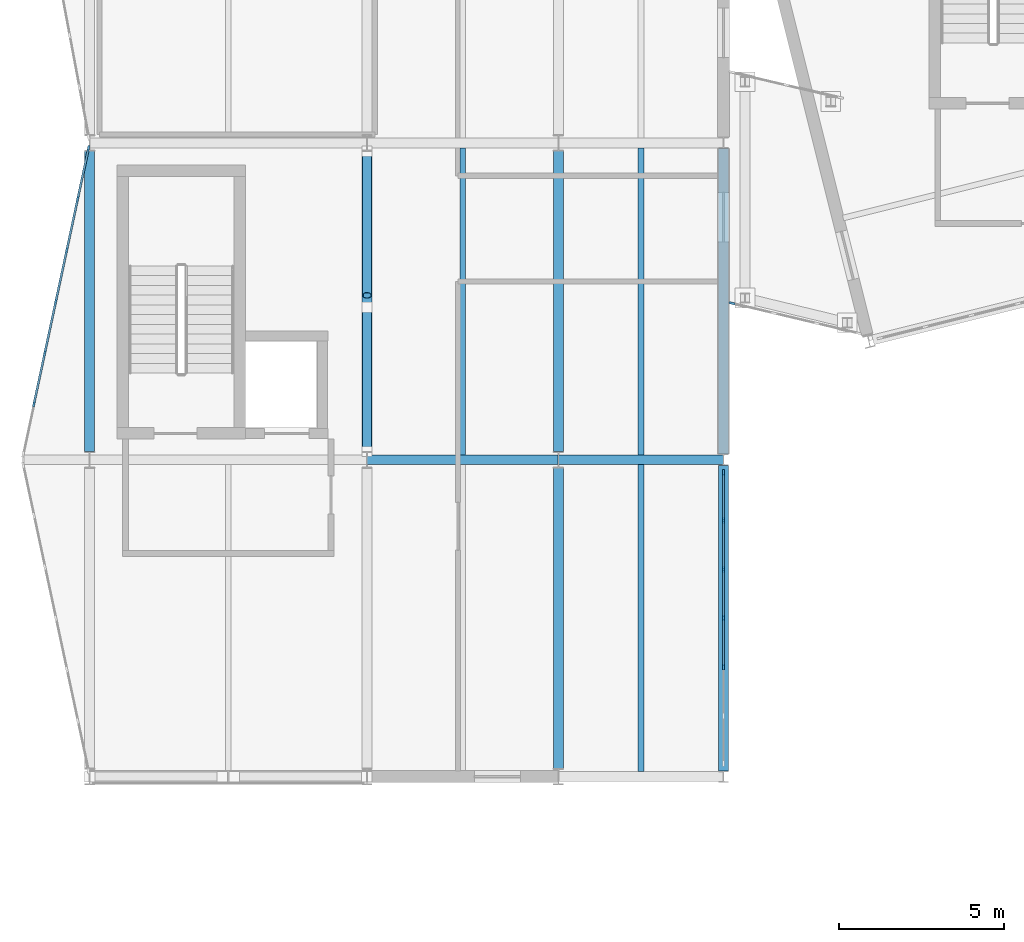
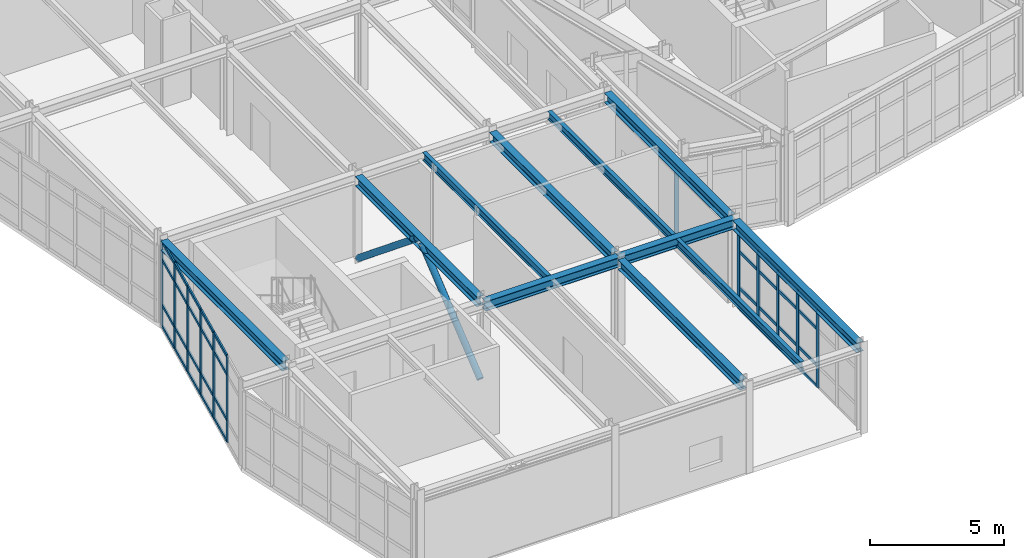
# One storey, part 14 of 76: 50 members, 11 beams, 3 elements without a shape of their own.
"""IFC4 building model written with IfcOpenShell, lengths in metres."""

from ifc_helpers import new_model, si_unit, direction, frame, origin, origin_2d, place, context, subcontext, project, spatial, rectangle, hollow_circle, i_section, extrude, material, layer, layer_set, material_profile, profile_set, type_object, element, aggregate, save


model = new_model("IFC4")

# Units and contexts
model_context = context("Model", 3, precision=1e-05, world=origin(), true_north=direction((0.0, 1.0)))
body_context = subcontext(model_context, "Body", "Model", "MODEL_VIEW")
ifc_project = project(units=[si_unit("LENGTHUNIT", "METRE"), si_unit("AREAUNIT", "SQUARE_METRE"), si_unit("VOLUMEUNIT", "CUBIC_METRE"), si_unit("PLANEANGLEUNIT", "RADIAN"), si_unit("MASSUNIT", "GRAM", prefix="KILO")], contexts=[model_context])

# Site, building, storey
site_placement = place(None, origin())
site = spatial("IfcSite", under=ifc_project, at=site_placement, CompositionType="ELEMENT")
building_placement = place(site_placement, origin())
building = spatial("IfcBuilding", under=site, at=building_placement, Name="Nordkorset Police Headquarters", CompositionType="ELEMENT")
storey_placement = place(building_placement, frame((0.0, 0.0, 13.64990234375)))
storey = spatial("IfcBuildingStorey", under=building, at=storey_placement, Name="L03", CompositionType="ELEMENT", Elevation=13.64990234375)

# Beams
ifc_material_1 = material(Name="Steel S355J2", Category="steel")
ifc_material_profile_1 = material_profile(ifc_material_1, i_section(OverallWidth=0.169921875, OverallDepth=0.360107421875, WebThickness=0.008056640625, FlangeThickness=0.0126953125, FilletRadius=0.01806640625, at=origin_2d()), Name="IPE 360")
ifc_profile_set_1 = profile_set([ifc_material_profile_1], Name="Steel S355J2")
beam_type_1 = type_object("IfcBeamType", Name="Beam_IPE_360", PredefinedType="BEAM", material=ifc_profile_set_1)
for number, where, z_axis, x_axis, name in (
    (1, (11.300048828125, 38.550048828125, 3.800048828125), (0.0, 1.0, 0.0), (-1.0, 0.0, 0.0), "Composite Floor Beam V3 L03 1-1-1"),
    (2, (16.699951171875, 28.949951171875, 3.78515625), (0.0, 1.0, 0.0), (-1.0, 0.0, 0.0), "Composite Floor Beam V3 L03 2-0-1"),
    (3, (16.699951171875, 38.550048828125, 3.78515625), (0.0, 1.0, 0.0), (-1.0, 0.0, 0.0), "Composite Floor Beam V3 L03 2-1-1"),
):
    element("IfcBeam", number, at=place(storey_placement, frame(where, z_axis=z_axis, x_axis=x_axis)), inside=storey, type_object=beam_type_1, Name=name, PredefinedType="BEAM", context=body_context, shape_type="SweptSolid", body=[
        extrude(i_section(OverallWidth=0.169921875, OverallDepth=0.360107421875, WebThickness=0.008056640625, FlangeThickness=0.0126953125, FilletRadius=0.01806640625, at=origin_2d()), origin(), (0.0, 0.0, 1.0), 9.300048828125),
    ])

# Members
ifc_material_2 = material(Name="Steel S355J2", Category="steel")
ifc_material_profile_2 = material_profile(ifc_material_2, hollow_circle(Radius=0.136474609375, WallThickness=0.012451171875, at=origin_2d()), Name="CHS 273x12.5")
ifc_profile_set_2 = profile_set([ifc_material_profile_2], Name="Steel S355J2")
member_type_1 = type_object("IfcMemberType", Name="Brace_CHS_273x12.5", PredefinedType="BRACE", material=ifc_profile_set_2)
for number, where, z_axis, x_axis, name in (
    (4, (8.39990234375, 38.64990234375, 0.2001953125), (0.0, 0.775323748712, 0.631563998881), (-1.0, 0.0, 0.0), "Lateral Chevron Brace BF-V3-A L03 D1"),
    (5, (8.39990234375, 47.75, 0.2001953125), (0.0, -0.775323748712, 0.631563998881), (1.0, 0.0, 0.0), "Lateral Chevron Brace BF-V3-A L03 D2"),
):
    element("IfcMember", number, at=place(storey_placement, frame(where, z_axis=z_axis, x_axis=x_axis)), inside=storey, type_object=member_type_1, Name=name, PredefinedType="BRACE", context=body_context, shape_type="SweptSolid", body=[
        extrude(hollow_circle(Radius=0.136474609375, WallThickness=0.012451171875, at=origin_2d()), origin(), (0.0, 0.0, 1.0), 5.636474609375),
    ])

# Curtain wall, members
ifc_material_3 = material(Name="Aluminium alloy AW-6060", Category="aluminium")
ifc_layer_1 = layer(ifc_material_3, 0.179931640625, Name="Aluminium alloy AW-6060")
ifc_layer_set_1 = layer_set([ifc_layer_1], Name="Aluminium alloy AW-6060")
curtain_wall_type_1 = type_object("IfcCurtainWallType", Name="CW_Unit_888x350", PredefinedType="USERDEFINED", material=ifc_layer_set_1)
curtain_wall_1_placement = place(storey_placement, origin())
curtain_wall_1 = element("IfcCurtainWall", 6, at=curtain_wall_1_placement, inside=storey, type_object=curtain_wall_type_1, Name="Unitised Curtain Wall L03 V3E-0", ObjectType="UNITISED CURTAIN WALL", PredefinedType="USERDEFINED")
ifc_material_4 = material(Name="Aluminium alloy AW-6060", Category="aluminium")
ifc_material_profile_3 = material_profile(ifc_material_4, rectangle(XDim=0.06494140625, YDim=0.179931640625, at=origin_2d()), Name="ALU MULL 65x180")
ifc_profile_set_3 = profile_set([ifc_material_profile_3], Name="Aluminium alloy AW-6060")
member_type_2 = type_object("IfcMemberType", Name="CW_Mullion_65x180", PredefinedType="MULLION", material=ifc_profile_set_3)
member_1_placement = place(storey_placement, frame((19.199951171875, 32.1201171875, 0.0), z_axis=(0.0, 0.0, 1.0), x_axis=(-1.0, 0.0, 0.0)))
member_1 = element("IfcMember", 7, at=member_1_placement, type_object=member_type_2, Name="CW-95 mullion 3", PredefinedType="MULLION", context=body_context, shape_type="SweptSolid", body=[
    extrude(rectangle(XDim=0.06494140625, YDim=0.179931640625, at=origin_2d()), origin(), (0.0, 0.0, 1.0), 3.505126953125),
])
member_2_placement = place(storey_placement, frame((19.199951171875, 33.60009765625, 0.0), z_axis=(0.0, 0.0, 1.0), x_axis=(-1.0, 0.0, 0.0)))
member_2 = element("IfcMember", 8, at=member_2_placement, type_object=member_type_2, Name="CW-95 mullion 4", PredefinedType="MULLION", context=body_context, shape_type="SweptSolid", body=[
    extrude(rectangle(XDim=0.06494140625, YDim=0.179931640625, at=origin_2d()), origin(), (0.0, 0.0, 1.0), 3.505126953125),
])
member_3_placement = place(storey_placement, frame((19.199951171875, 35.080078125, 0.0), z_axis=(0.0, 0.0, 1.0), x_axis=(-1.0, 0.0, 0.0)))
member_3 = element("IfcMember", 9, at=member_3_placement, type_object=member_type_2, Name="CW-95 mullion 5", PredefinedType="MULLION", context=body_context, shape_type="SweptSolid", body=[
    extrude(rectangle(XDim=0.06494140625, YDim=0.179931640625, at=origin_2d()), origin(), (0.0, 0.0, 1.0), 3.505126953125),
])
member_4_placement = place(storey_placement, frame((19.199951171875, 36.56005859375, 0.0), z_axis=(0.0, 0.0, 1.0), x_axis=(-1.0, 0.0, 0.0)))
member_4 = element("IfcMember", 10, at=member_4_placement, type_object=member_type_2, Name="CW-95 mullion 6", PredefinedType="MULLION", context=body_context, shape_type="SweptSolid", body=[
    extrude(rectangle(XDim=0.06494140625, YDim=0.179931640625, at=origin_2d()), origin(), (0.0, 0.0, 1.0), 3.505126953125),
])
member_5_placement = place(storey_placement, frame((19.199951171875, 38.007568359375, 0.0), z_axis=(0.0, 0.0, 1.0), x_axis=(-1.0, 0.0, 0.0)))
member_5 = element("IfcMember", 11, at=member_5_placement, type_object=member_type_2, Name="CW-95 mullion 7", PredefinedType="MULLION", context=body_context, shape_type="SweptSolid", body=[
    extrude(rectangle(XDim=0.06494140625, YDim=0.179931640625, at=origin_2d()), origin(), (0.0, 0.0, 1.0), 3.505126953125),
])

ifc_material_5 = material(Name="Aluminium alloy AW-6060", Category="aluminium")
ifc_layer_2 = layer(ifc_material_5, 0.179931640625, Name="Aluminium alloy AW-6060")
ifc_layer_set_2 = layer_set([ifc_layer_2], Name="Aluminium alloy AW-6060")
curtain_wall_type_2 = type_object("IfcCurtainWallType", Name="CW_Unit_954x392", PredefinedType="USERDEFINED", material=ifc_layer_set_2)
curtain_wall_2_placement = place(storey_placement, origin())
curtain_wall_2 = element("IfcCurtainWall", 12, at=curtain_wall_2_placement, inside=storey, type_object=curtain_wall_type_2, Name="Unitised Curtain Wall L03 V3W-1", ObjectType="UNITISED CURTAIN WALL", PredefinedType="USERDEFINED")
member_6_placement = place(storey_placement, frame((-1.688720703125, 40.09130859375, 0.0), z_axis=(0.0, 0.0, 1.0), x_axis=(-0.977951416289, 0.208832534289, 0.0)))
member_6 = element("IfcMember", 13, at=member_6_placement, type_object=member_type_2, Name="CW-20 mullion 2", PredefinedType="MULLION", context=body_context, shape_type="SweptSolid", body=[
    extrude(rectangle(XDim=0.06494140625, YDim=0.179931640625, at=origin_2d()), origin(), (0.0, 0.0, 1.0), 3.920166015625),
])
member_7_placement = place(storey_placement, frame((-1.35693359375, 41.645751953125, 0.0), z_axis=(0.0, 0.0, 1.0), x_axis=(-0.977951416289, 0.208832534289, 0.0)))
member_7 = element("IfcMember", 14, at=member_7_placement, type_object=member_type_2, Name="CW-20 mullion 3", PredefinedType="MULLION", context=body_context, shape_type="SweptSolid", body=[
    extrude(rectangle(XDim=0.06494140625, YDim=0.179931640625, at=origin_2d()), origin(), (0.0, 0.0, 1.0), 3.920166015625),
])
member_8_placement = place(storey_placement, frame((-1.02490234375, 43.199951171875, 0.0), z_axis=(0.0, 0.0, 1.0), x_axis=(-0.977951416289, 0.208832534289, 0.0)))
member_8 = element("IfcMember", 15, at=member_8_placement, type_object=member_type_2, Name="CW-20 mullion 4", PredefinedType="MULLION", context=body_context, shape_type="SweptSolid", body=[
    extrude(rectangle(XDim=0.06494140625, YDim=0.179931640625, at=origin_2d()), origin(), (0.0, 0.0, 1.0), 3.920166015625),
])
member_9_placement = place(storey_placement, frame((-0.693115234375, 44.75439453125, 0.0), z_axis=(0.0, 0.0, 1.0), x_axis=(-0.977951416289, 0.208832534289, 0.0)))
member_9 = element("IfcMember", 16, at=member_9_placement, type_object=member_type_2, Name="CW-20 mullion 5", PredefinedType="MULLION", context=body_context, shape_type="SweptSolid", body=[
    extrude(rectangle(XDim=0.06494140625, YDim=0.179931640625, at=origin_2d()), origin(), (0.0, 0.0, 1.0), 3.920166015625),
])
member_10_placement = place(storey_placement, frame((-0.361083984375, 46.308837890625, 0.0), z_axis=(0.0, 0.0, 1.0), x_axis=(-0.977951416289, 0.208832534289, 0.0)))
member_10 = element("IfcMember", 17, at=member_10_placement, type_object=member_type_2, Name="CW-20 mullion 6", PredefinedType="MULLION", context=body_context, shape_type="SweptSolid", body=[
    extrude(rectangle(XDim=0.06494140625, YDim=0.179931640625, at=origin_2d()), origin(), (0.0, 0.0, 1.0), 3.920166015625),
])
member_11_placement = place(storey_placement, frame((-0.0361328125, 47.831298828125, 0.0), z_axis=(0.0, 0.0, 1.0), x_axis=(-0.977951416289, 0.208832534289, 0.0)))
member_11 = element("IfcMember", 18, at=member_11_placement, type_object=member_type_2, Name="CW-20 mullion 7", PredefinedType="MULLION", context=body_context, shape_type="SweptSolid", body=[
    extrude(rectangle(XDim=0.06494140625, YDim=0.179931640625, at=origin_2d()), origin(), (0.0, 0.0, 1.0), 3.920166015625),
])

# Curtain wall, member
ifc_material_6 = material(Name="Aluminium alloy AW-6060", Category="aluminium")
ifc_layer_3 = layer(ifc_material_6, 0.179931640625, Name="Aluminium alloy AW-6060")
ifc_layer_set_3 = layer_set([ifc_layer_3], Name="Aluminium alloy AW-6060")
curtain_wall_type_3 = type_object("IfcCurtainWallType", Name="CW_Unit_401x360", PredefinedType="USERDEFINED", material=ifc_layer_set_3)
curtain_wall_3_placement = place(storey_placement, origin())
curtain_wall_3 = element("IfcCurtainWall", 19, at=curtain_wall_3_placement, inside=storey, type_object=curtain_wall_type_3, Name="Unitised Curtain Wall L03 BRGW-S", ObjectType="UNITISED CURTAIN WALL", PredefinedType="USERDEFINED")
member_12_placement = place(storey_placement, frame((19.456787109375, 43.140869140625, 0.0), z_axis=(0.0, 0.0, 1.0), x_axis=(0.231206329825, 0.972904739966, 0.0)))
member_12 = element("IfcMember", 20, at=member_12_placement, type_object=member_type_2, Name="CW-75 mullion 1", PredefinedType="MULLION", context=body_context, shape_type="SweptSolid", body=[
    extrude(rectangle(XDim=0.06494140625, YDim=0.179931640625, at=origin_2d()), origin(), (0.0, 0.0, 1.0), 3.59521484375),
])
aggregate(curtain_wall_3, [member_12])

# Member
ifc_material_7 = material(Name="Aluminium alloy AW-6060", Category="aluminium")
ifc_material_profile_4 = material_profile(ifc_material_7, rectangle(XDim=0.06494140625, YDim=0.139892578125, at=origin_2d()), Name="ALU TRAN 65x140")
ifc_profile_set_4 = profile_set([ifc_material_profile_4], Name="Aluminium alloy AW-6060")
member_type_3 = type_object("IfcMemberType", Name="CW_Transom_65x140", PredefinedType="USERDEFINED", material=ifc_profile_set_4)
member_13_placement = place(storey_placement, frame((19.199951171875, 32.152587890625, 0.03271484375), z_axis=(0.0, 1.0, 0.0), x_axis=(-1.0, 0.0, 0.0)))
member_13 = element("IfcMember", 21, at=member_13_placement, type_object=member_type_3, Name="CW-95 transom 3.1", ObjectType="TRANSOM", PredefinedType="USERDEFINED", context=body_context, shape_type="SweptSolid", body=[
    extrude(rectangle(XDim=0.06494140625, YDim=0.139892578125, at=origin_2d()), origin(), (0.0, 0.0, 1.0), 1.414794921875),
])

member_14_placement = place(storey_placement, frame((19.199951171875, 32.152587890625, 1.0), z_axis=(0.0, 1.0, 0.0), x_axis=(-1.0, 0.0, 0.0)))
member_14 = element("IfcMember", 22, at=member_14_placement, type_object=member_type_3, Name="CW-95 transom 3.2", ObjectType="TRANSOM", PredefinedType="USERDEFINED", context=body_context, shape_type="SweptSolid", body=[
    extrude(rectangle(XDim=0.06494140625, YDim=0.139892578125, at=origin_2d()), origin(), (0.0, 0.0, 1.0), 1.414794921875),
])

member_15_placement = place(storey_placement, frame((19.199951171875, 32.152587890625, 2.655029296875), z_axis=(0.0, 1.0, 0.0), x_axis=(-1.0, 0.0, 0.0)))
member_15 = element("IfcMember", 23, at=member_15_placement, type_object=member_type_3, Name="CW-95 transom 3.3", ObjectType="TRANSOM", PredefinedType="USERDEFINED", context=body_context, shape_type="SweptSolid", body=[
    extrude(rectangle(XDim=0.06494140625, YDim=0.139892578125, at=origin_2d()), origin(), (0.0, 0.0, 1.0), 1.414794921875),
])

member_16_placement = place(storey_placement, frame((19.199951171875, 32.152587890625, 3.47265625), z_axis=(0.0, 1.0, 0.0), x_axis=(-1.0, 0.0, 0.0)))
member_16 = element("IfcMember", 24, at=member_16_placement, type_object=member_type_3, Name="CW-95 transom 3.4", ObjectType="TRANSOM", PredefinedType="USERDEFINED", context=body_context, shape_type="SweptSolid", body=[
    extrude(rectangle(XDim=0.06494140625, YDim=0.139892578125, at=origin_2d()), origin(), (0.0, 0.0, 1.0), 1.414794921875),
])

member_17_placement = place(storey_placement, frame((19.199951171875, 33.632568359375, 0.03271484375), z_axis=(0.0, 1.0, 0.0), x_axis=(-1.0, 0.0, 0.0)))
member_17 = element("IfcMember", 25, at=member_17_placement, type_object=member_type_3, Name="CW-95 transom 4.1", ObjectType="TRANSOM", PredefinedType="USERDEFINED", context=body_context, shape_type="SweptSolid", body=[
    extrude(rectangle(XDim=0.06494140625, YDim=0.139892578125, at=origin_2d()), origin(), (0.0, 0.0, 1.0), 1.4150390625),
])

member_18_placement = place(storey_placement, frame((19.199951171875, 33.632568359375, 1.0), z_axis=(0.0, 1.0, 0.0), x_axis=(-1.0, 0.0, 0.0)))
member_18 = element("IfcMember", 26, at=member_18_placement, type_object=member_type_3, Name="CW-95 transom 4.2", ObjectType="TRANSOM", PredefinedType="USERDEFINED", context=body_context, shape_type="SweptSolid", body=[
    extrude(rectangle(XDim=0.06494140625, YDim=0.139892578125, at=origin_2d()), origin(), (0.0, 0.0, 1.0), 1.4150390625),
])

member_19_placement = place(storey_placement, frame((19.199951171875, 33.632568359375, 2.655029296875), z_axis=(0.0, 1.0, 0.0), x_axis=(-1.0, 0.0, 0.0)))
member_19 = element("IfcMember", 27, at=member_19_placement, type_object=member_type_3, Name="CW-95 transom 4.3", ObjectType="TRANSOM", PredefinedType="USERDEFINED", context=body_context, shape_type="SweptSolid", body=[
    extrude(rectangle(XDim=0.06494140625, YDim=0.139892578125, at=origin_2d()), origin(), (0.0, 0.0, 1.0), 1.4150390625),
])

member_20_placement = place(storey_placement, frame((19.199951171875, 33.632568359375, 3.47265625), z_axis=(0.0, 1.0, 0.0), x_axis=(-1.0, 0.0, 0.0)))
member_20 = element("IfcMember", 28, at=member_20_placement, type_object=member_type_3, Name="CW-95 transom 4.4", ObjectType="TRANSOM", PredefinedType="USERDEFINED", context=body_context, shape_type="SweptSolid", body=[
    extrude(rectangle(XDim=0.06494140625, YDim=0.139892578125, at=origin_2d()), origin(), (0.0, 0.0, 1.0), 1.4150390625),
])

member_21_placement = place(storey_placement, frame((19.199951171875, 35.112548828125, 0.03271484375), z_axis=(0.0, 1.0, 0.0), x_axis=(-1.0, 0.0, 0.0)))
member_21 = element("IfcMember", 29, at=member_21_placement, type_object=member_type_3, Name="CW-95 transom 5.1", ObjectType="TRANSOM", PredefinedType="USERDEFINED", context=body_context, shape_type="SweptSolid", body=[
    extrude(rectangle(XDim=0.06494140625, YDim=0.139892578125, at=origin_2d()), origin(), (0.0, 0.0, 1.0), 1.4150390625),
])

member_22_placement = place(storey_placement, frame((19.199951171875, 35.112548828125, 1.0), z_axis=(0.0, 1.0, 0.0), x_axis=(-1.0, 0.0, 0.0)))
member_22 = element("IfcMember", 30, at=member_22_placement, type_object=member_type_3, Name="CW-95 transom 5.2", ObjectType="TRANSOM", PredefinedType="USERDEFINED", context=body_context, shape_type="SweptSolid", body=[
    extrude(rectangle(XDim=0.06494140625, YDim=0.139892578125, at=origin_2d()), origin(), (0.0, 0.0, 1.0), 1.4150390625),
])

member_23_placement = place(storey_placement, frame((19.199951171875, 35.112548828125, 2.655029296875), z_axis=(0.0, 1.0, 0.0), x_axis=(-1.0, 0.0, 0.0)))
member_23 = element("IfcMember", 31, at=member_23_placement, type_object=member_type_3, Name="CW-95 transom 5.3", ObjectType="TRANSOM", PredefinedType="USERDEFINED", context=body_context, shape_type="SweptSolid", body=[
    extrude(rectangle(XDim=0.06494140625, YDim=0.139892578125, at=origin_2d()), origin(), (0.0, 0.0, 1.0), 1.4150390625),
])

member_24_placement = place(storey_placement, frame((19.199951171875, 35.112548828125, 3.47265625), z_axis=(0.0, 1.0, 0.0), x_axis=(-1.0, 0.0, 0.0)))
member_24 = element("IfcMember", 32, at=member_24_placement, type_object=member_type_3, Name="CW-95 transom 5.4", ObjectType="TRANSOM", PredefinedType="USERDEFINED", context=body_context, shape_type="SweptSolid", body=[
    extrude(rectangle(XDim=0.06494140625, YDim=0.139892578125, at=origin_2d()), origin(), (0.0, 0.0, 1.0), 1.4150390625),
])

member_25_placement = place(storey_placement, frame((19.199951171875, 36.592529296875, 0.03271484375), z_axis=(0.0, 1.0, 0.0), x_axis=(-1.0, 0.0, 0.0)))
member_25 = element("IfcMember", 33, at=member_25_placement, type_object=member_type_3, Name="CW-95 transom 6.1", ObjectType="TRANSOM", PredefinedType="USERDEFINED", context=body_context, shape_type="SweptSolid", body=[
    extrude(rectangle(XDim=0.06494140625, YDim=0.139892578125, at=origin_2d()), origin(), (0.0, 0.0, 1.0), 1.382568359375),
])

member_26_placement = place(storey_placement, frame((19.199951171875, 36.592529296875, 1.0), z_axis=(0.0, 1.0, 0.0), x_axis=(-1.0, 0.0, 0.0)))
member_26 = element("IfcMember", 34, at=member_26_placement, type_object=member_type_3, Name="CW-95 transom 6.2", ObjectType="TRANSOM", PredefinedType="USERDEFINED", context=body_context, shape_type="SweptSolid", body=[
    extrude(rectangle(XDim=0.06494140625, YDim=0.139892578125, at=origin_2d()), origin(), (0.0, 0.0, 1.0), 1.382568359375),
])

member_27_placement = place(storey_placement, frame((19.199951171875, 36.592529296875, 2.655029296875), z_axis=(0.0, 1.0, 0.0), x_axis=(-1.0, 0.0, 0.0)))
member_27 = element("IfcMember", 35, at=member_27_placement, type_object=member_type_3, Name="CW-95 transom 6.3", ObjectType="TRANSOM", PredefinedType="USERDEFINED", context=body_context, shape_type="SweptSolid", body=[
    extrude(rectangle(XDim=0.06494140625, YDim=0.139892578125, at=origin_2d()), origin(), (0.0, 0.0, 1.0), 1.382568359375),
])

member_28_placement = place(storey_placement, frame((19.199951171875, 36.592529296875, 3.47265625), z_axis=(0.0, 1.0, 0.0), x_axis=(-1.0, 0.0, 0.0)))
member_28 = element("IfcMember", 36, at=member_28_placement, type_object=member_type_3, Name="CW-95 transom 6.4", ObjectType="TRANSOM", PredefinedType="USERDEFINED", context=body_context, shape_type="SweptSolid", body=[
    extrude(rectangle(XDim=0.06494140625, YDim=0.139892578125, at=origin_2d()), origin(), (0.0, 0.0, 1.0), 1.382568359375),
])

aggregate(curtain_wall_1, [member_1, member_2, member_3, member_4, member_5, member_13, member_14, member_15, member_16, member_17, member_18, member_19, member_20, member_21, member_22, member_23, member_24, member_25, member_26, member_27, member_28])

member_29_placement = place(storey_placement, frame((-1.68212890625, 40.123046875, 0.03271484375), z_axis=(0.208850890154, 0.977947496383, 0.0), x_axis=(-0.977947496383, 0.208850890154, 0.0)))
member_29 = element("IfcMember", 37, at=member_29_placement, type_object=member_type_3, Name="CW-20 transom 2.1", ObjectType="TRANSOM", PredefinedType="USERDEFINED", context=body_context, shape_type="SweptSolid", body=[
    extrude(rectangle(XDim=0.06494140625, YDim=0.139892578125, at=origin_2d()), origin(), (0.0, 0.0, 1.0), 1.5244140625),
])

member_30_placement = place(storey_placement, frame((-1.68212890625, 40.123046875, 1.0), z_axis=(0.208850890154, 0.977947496383, 0.0), x_axis=(-0.977947496383, 0.208850890154, 0.0)))
member_30 = element("IfcMember", 38, at=member_30_placement, type_object=member_type_3, Name="CW-20 transom 2.2", ObjectType="TRANSOM", PredefinedType="USERDEFINED", context=body_context, shape_type="SweptSolid", body=[
    extrude(rectangle(XDim=0.06494140625, YDim=0.139892578125, at=origin_2d()), origin(), (0.0, 0.0, 1.0), 1.5244140625),
])

member_31_placement = place(storey_placement, frame((-1.68212890625, 40.123046875, 3.070068359375), z_axis=(0.208850890154, 0.977947496383, 0.0), x_axis=(-0.977947496383, 0.208850890154, 0.0)))
member_31 = element("IfcMember", 39, at=member_31_placement, type_object=member_type_3, Name="CW-20 transom 2.3", ObjectType="TRANSOM", PredefinedType="USERDEFINED", context=body_context, shape_type="SweptSolid", body=[
    extrude(rectangle(XDim=0.06494140625, YDim=0.139892578125, at=origin_2d()), origin(), (0.0, 0.0, 1.0), 1.5244140625),
])

member_32_placement = place(storey_placement, frame((-1.68212890625, 40.123046875, 3.8876953125), z_axis=(0.208850890154, 0.977947496383, 0.0), x_axis=(-0.977947496383, 0.208850890154, 0.0)))
member_32 = element("IfcMember", 40, at=member_32_placement, type_object=member_type_3, Name="CW-20 transom 2.4", ObjectType="TRANSOM", PredefinedType="USERDEFINED", context=body_context, shape_type="SweptSolid", body=[
    extrude(rectangle(XDim=0.06494140625, YDim=0.139892578125, at=origin_2d()), origin(), (0.0, 0.0, 1.0), 1.5244140625),
])

member_33_placement = place(storey_placement, frame((-1.35009765625, 41.677490234375, 0.03271484375), z_axis=(0.208850890154, 0.977947496383, 0.0), x_axis=(-0.977947496383, 0.208850890154, 0.0)))
member_33 = element("IfcMember", 41, at=member_33_placement, type_object=member_type_3, Name="CW-20 transom 3.1", ObjectType="TRANSOM", PredefinedType="USERDEFINED", context=body_context, shape_type="SweptSolid", body=[
    extrude(rectangle(XDim=0.06494140625, YDim=0.139892578125, at=origin_2d()), origin(), (0.0, 0.0, 1.0), 1.5244140625),
])

member_34_placement = place(storey_placement, frame((-1.35009765625, 41.677490234375, 1.0), z_axis=(0.208850890154, 0.977947496383, 0.0), x_axis=(-0.977947496383, 0.208850890154, 0.0)))
member_34 = element("IfcMember", 42, at=member_34_placement, type_object=member_type_3, Name="CW-20 transom 3.2", ObjectType="TRANSOM", PredefinedType="USERDEFINED", context=body_context, shape_type="SweptSolid", body=[
    extrude(rectangle(XDim=0.06494140625, YDim=0.139892578125, at=origin_2d()), origin(), (0.0, 0.0, 1.0), 1.5244140625),
])

member_35_placement = place(storey_placement, frame((-1.35009765625, 41.677490234375, 3.070068359375), z_axis=(0.208850890154, 0.977947496383, 0.0), x_axis=(-0.977947496383, 0.208850890154, 0.0)))
member_35 = element("IfcMember", 43, at=member_35_placement, type_object=member_type_3, Name="CW-20 transom 3.3", ObjectType="TRANSOM", PredefinedType="USERDEFINED", context=body_context, shape_type="SweptSolid", body=[
    extrude(rectangle(XDim=0.06494140625, YDim=0.139892578125, at=origin_2d()), origin(), (0.0, 0.0, 1.0), 1.5244140625),
])

member_36_placement = place(storey_placement, frame((-1.35009765625, 41.677490234375, 3.8876953125), z_axis=(0.208850890154, 0.977947496383, 0.0), x_axis=(-0.977947496383, 0.208850890154, 0.0)))
member_36 = element("IfcMember", 44, at=member_36_placement, type_object=member_type_3, Name="CW-20 transom 3.4", ObjectType="TRANSOM", PredefinedType="USERDEFINED", context=body_context, shape_type="SweptSolid", body=[
    extrude(rectangle(XDim=0.06494140625, YDim=0.139892578125, at=origin_2d()), origin(), (0.0, 0.0, 1.0), 1.5244140625),
])

member_37_placement = place(storey_placement, frame((-1.018310546875, 43.231689453125, 0.03271484375), z_axis=(0.208818182896, 0.977954480787, 0.0), x_axis=(-0.977954480787, 0.208818182896, 0.0)))
member_37 = element("IfcMember", 45, at=member_37_placement, type_object=member_type_3, Name="CW-20 transom 4.1", ObjectType="TRANSOM", PredefinedType="USERDEFINED", context=body_context, shape_type="SweptSolid", body=[
    extrude(rectangle(XDim=0.06494140625, YDim=0.139892578125, at=origin_2d()), origin(), (0.0, 0.0, 1.0), 1.524658203125),
])

member_38_placement = place(storey_placement, frame((-1.018310546875, 43.231689453125, 1.0), z_axis=(0.208818182896, 0.977954480787, 0.0), x_axis=(-0.977954480787, 0.208818182896, 0.0)))
member_38 = element("IfcMember", 46, at=member_38_placement, type_object=member_type_3, Name="CW-20 transom 4.2", ObjectType="TRANSOM", PredefinedType="USERDEFINED", context=body_context, shape_type="SweptSolid", body=[
    extrude(rectangle(XDim=0.06494140625, YDim=0.139892578125, at=origin_2d()), origin(), (0.0, 0.0, 1.0), 1.524658203125),
])

member_39_placement = place(storey_placement, frame((-1.018310546875, 43.231689453125, 3.070068359375), z_axis=(0.208818182896, 0.977954480787, 0.0), x_axis=(-0.977954480787, 0.208818182896, 0.0)))
member_39 = element("IfcMember", 47, at=member_39_placement, type_object=member_type_3, Name="CW-20 transom 4.3", ObjectType="TRANSOM", PredefinedType="USERDEFINED", context=body_context, shape_type="SweptSolid", body=[
    extrude(rectangle(XDim=0.06494140625, YDim=0.139892578125, at=origin_2d()), origin(), (0.0, 0.0, 1.0), 1.524658203125),
])

member_40_placement = place(storey_placement, frame((-1.018310546875, 43.231689453125, 3.8876953125), z_axis=(0.208818182896, 0.977954480787, 0.0), x_axis=(-0.977954480787, 0.208818182896, 0.0)))
member_40 = element("IfcMember", 48, at=member_40_placement, type_object=member_type_3, Name="CW-20 transom 4.4", ObjectType="TRANSOM", PredefinedType="USERDEFINED", context=body_context, shape_type="SweptSolid", body=[
    extrude(rectangle(XDim=0.06494140625, YDim=0.139892578125, at=origin_2d()), origin(), (0.0, 0.0, 1.0), 1.524658203125),
])

member_41_placement = place(storey_placement, frame((-0.686279296875, 44.7861328125, 0.03271484375), z_axis=(0.208850890154, 0.977947496383, 0.0), x_axis=(-0.977947496383, 0.208850890154, 0.0)))
member_41 = element("IfcMember", 49, at=member_41_placement, type_object=member_type_3, Name="CW-20 transom 5.1", ObjectType="TRANSOM", PredefinedType="USERDEFINED", context=body_context, shape_type="SweptSolid", body=[
    extrude(rectangle(XDim=0.06494140625, YDim=0.139892578125, at=origin_2d()), origin(), (0.0, 0.0, 1.0), 1.5244140625),
])

member_42_placement = place(storey_placement, frame((-0.686279296875, 44.7861328125, 1.0), z_axis=(0.208850890154, 0.977947496383, 0.0), x_axis=(-0.977947496383, 0.208850890154, 0.0)))
member_42 = element("IfcMember", 50, at=member_42_placement, type_object=member_type_3, Name="CW-20 transom 5.2", ObjectType="TRANSOM", PredefinedType="USERDEFINED", context=body_context, shape_type="SweptSolid", body=[
    extrude(rectangle(XDim=0.06494140625, YDim=0.139892578125, at=origin_2d()), origin(), (0.0, 0.0, 1.0), 1.5244140625),
])

member_43_placement = place(storey_placement, frame((-0.686279296875, 44.7861328125, 3.070068359375), z_axis=(0.208850890154, 0.977947496383, 0.0), x_axis=(-0.977947496383, 0.208850890154, 0.0)))
member_43 = element("IfcMember", 51, at=member_43_placement, type_object=member_type_3, Name="CW-20 transom 5.3", ObjectType="TRANSOM", PredefinedType="USERDEFINED", context=body_context, shape_type="SweptSolid", body=[
    extrude(rectangle(XDim=0.06494140625, YDim=0.139892578125, at=origin_2d()), origin(), (0.0, 0.0, 1.0), 1.5244140625),
])

member_44_placement = place(storey_placement, frame((-0.686279296875, 44.7861328125, 3.8876953125), z_axis=(0.208850890154, 0.977947496383, 0.0), x_axis=(-0.977947496383, 0.208850890154, 0.0)))
member_44 = element("IfcMember", 52, at=member_44_placement, type_object=member_type_3, Name="CW-20 transom 5.4", ObjectType="TRANSOM", PredefinedType="USERDEFINED", context=body_context, shape_type="SweptSolid", body=[
    extrude(rectangle(XDim=0.06494140625, YDim=0.139892578125, at=origin_2d()), origin(), (0.0, 0.0, 1.0), 1.5244140625),
])

member_45_placement = place(storey_placement, frame((-0.3544921875, 46.340576171875, 0.03271484375), z_axis=(0.208970278443, 0.977921992148, 0.0), x_axis=(-0.977921992148, 0.208970278443, 0.0)))
member_45 = element("IfcMember", 53, at=member_45_placement, type_object=member_type_3, Name="CW-20 transom 6.1", ObjectType="TRANSOM", PredefinedType="USERDEFINED", context=body_context, shape_type="SweptSolid", body=[
    extrude(rectangle(XDim=0.06494140625, YDim=0.139892578125, at=origin_2d()), origin(), (0.0, 0.0, 1.0), 1.491943359375),
])

member_46_placement = place(storey_placement, frame((-0.3544921875, 46.340576171875, 1.0), z_axis=(0.208970278443, 0.977921992148, 0.0), x_axis=(-0.977921992148, 0.208970278443, 0.0)))
member_46 = element("IfcMember", 54, at=member_46_placement, type_object=member_type_3, Name="CW-20 transom 6.2", ObjectType="TRANSOM", PredefinedType="USERDEFINED", context=body_context, shape_type="SweptSolid", body=[
    extrude(rectangle(XDim=0.06494140625, YDim=0.139892578125, at=origin_2d()), origin(), (0.0, 0.0, 1.0), 1.491943359375),
])

member_47_placement = place(storey_placement, frame((-0.3544921875, 46.340576171875, 3.070068359375), z_axis=(0.208970278443, 0.977921992148, 0.0), x_axis=(-0.977921992148, 0.208970278443, 0.0)))
member_47 = element("IfcMember", 55, at=member_47_placement, type_object=member_type_3, Name="CW-20 transom 6.3", ObjectType="TRANSOM", PredefinedType="USERDEFINED", context=body_context, shape_type="SweptSolid", body=[
    extrude(rectangle(XDim=0.06494140625, YDim=0.139892578125, at=origin_2d()), origin(), (0.0, 0.0, 1.0), 1.491943359375),
])

member_48_placement = place(storey_placement, frame((-0.3544921875, 46.340576171875, 3.8876953125), z_axis=(0.208970278443, 0.977921992148, 0.0), x_axis=(-0.977921992148, 0.208970278443, 0.0)))
member_48 = element("IfcMember", 56, at=member_48_placement, type_object=member_type_3, Name="CW-20 transom 6.4", ObjectType="TRANSOM", PredefinedType="USERDEFINED", context=body_context, shape_type="SweptSolid", body=[
    extrude(rectangle(XDim=0.06494140625, YDim=0.139892578125, at=origin_2d()), origin(), (0.0, 0.0, 1.0), 1.491943359375),
])

aggregate(curtain_wall_2, [member_6, member_7, member_8, member_9, member_10, member_11, member_29, member_30, member_31, member_32, member_33, member_34, member_35, member_36, member_37, member_38, member_39, member_40, member_41, member_42, member_43, member_44, member_45, member_46, member_47, member_48])

# Beams
ifc_material_8 = material(Name="Steel S355J2", Category="steel")
ifc_material_profile_5 = material_profile(ifc_material_8, i_section(OverallWidth=0.300048828125, OverallDepth=0.43994140625, WebThickness=0.011474609375, FlangeThickness=0.02099609375, FilletRadius=0.027099609375, at=origin_2d()), Name="HEA 450")
ifc_profile_set_5 = profile_set([ifc_material_profile_5], Name="Steel S355J2")
beam_type_2 = type_object("IfcBeamType", Name="Girder_HEA_450", PredefinedType="USERDEFINED", material=ifc_profile_set_5)
beam_1_placement = place(storey_placement, frame((8.4072265625, 38.39990234375, 3.7451171875), z_axis=(1.0, 0.0, 0.0), x_axis=(0.0, 1.0, 0.0)))
element("IfcBeam", 57, at=beam_1_placement, inside=storey, type_object=beam_type_2, Name="Girder V3 L03 GX-1-1", ObjectType="GIRDER", PredefinedType="USERDEFINED", context=body_context, shape_type="SweptSolid", body=[
    extrude(i_section(OverallWidth=0.300048828125, OverallDepth=0.43994140625, WebThickness=0.011474609375, FlangeThickness=0.02099609375, FilletRadius=0.027099609375, at=origin_2d()), origin(), (0.0, 0.0, 1.0), 5.785400390625),
])
beam_2_placement = place(storey_placement, frame((14.207275390625, 38.39990234375, 3.7451171875), z_axis=(1.0, 0.0, 0.0), x_axis=(0.0, 1.0, 0.0)))
element("IfcBeam", 58, at=beam_2_placement, inside=storey, type_object=beam_type_2, Name="Girder V3 L03 GX-1-2", ObjectType="GIRDER", PredefinedType="USERDEFINED", context=body_context, shape_type="SweptSolid", body=[
    extrude(i_section(OverallWidth=0.300048828125, OverallDepth=0.43994140625, WebThickness=0.011474609375, FlangeThickness=0.02099609375, FilletRadius=0.027099609375, at=origin_2d()), origin(), (0.0, 0.0, 1.0), 4.98681640625),
])
for number, where, z_axis, x_axis, name in (
    (59, (0.0, 38.64990234375, 3.760009765625), (0.0, 1.0, 0.0), (-1.0, 0.0, 0.0), "Girder V3 L03 GY-0-1"),
    (60, (8.39990234375, 38.64990234375, 3.760009765625), (0.0, 1.0, 0.0), (-1.0, 0.0, 0.0), "Girder V3 L03 GY-1-1"),
):
    element("IfcBeam", number, at=place(storey_placement, frame(where, z_axis=z_axis, x_axis=x_axis)), inside=storey, type_object=beam_type_2, Name=name, ObjectType="GIRDER", PredefinedType="USERDEFINED", context=body_context, shape_type="SweptSolid", body=[
        extrude(i_section(OverallWidth=0.300048828125, OverallDepth=0.43994140625, WebThickness=0.011474609375, FlangeThickness=0.02099609375, FilletRadius=0.027099609375, at=origin_2d()), origin(), (0.0, 0.0, 1.0), 9.10009765625),
    ])
beam_3_placement = place(storey_placement, frame((14.199951171875, 29.050048828125, 3.7451171875), z_axis=(0.0, 1.0, 0.0), x_axis=(-1.0, 0.0, 0.0)))
element("IfcBeam", 61, at=beam_3_placement, inside=storey, type_object=beam_type_2, Name="Girder V3 L03 GY-2-0", ObjectType="GIRDER", PredefinedType="USERDEFINED", context=body_context, shape_type="SweptSolid", body=[
    extrude(i_section(OverallWidth=0.300048828125, OverallDepth=0.43994140625, WebThickness=0.011474609375, FlangeThickness=0.02099609375, FilletRadius=0.027099609375, at=origin_2d()), origin(), (0.0, 0.0, 1.0), 9.099853515625),
])
beam_4_placement = place(storey_placement, frame((14.199951171875, 38.64990234375, 3.7451171875), z_axis=(0.0, 1.0, 0.0), x_axis=(-1.0, 0.0, 0.0)))
element("IfcBeam", 62, at=beam_4_placement, inside=storey, type_object=beam_type_2, Name="Girder V3 L03 GY-2-1", ObjectType="GIRDER", PredefinedType="USERDEFINED", context=body_context, shape_type="SweptSolid", body=[
    extrude(i_section(OverallWidth=0.300048828125, OverallDepth=0.43994140625, WebThickness=0.011474609375, FlangeThickness=0.02099609375, FilletRadius=0.027099609375, at=origin_2d()), origin(), (0.0, 0.0, 1.0), 9.10009765625),
])
for number, where, z_axis, x_axis, name in (
    (63, (19.199951171875, 28.969970703125, 3.7451171875), (0.0, 1.0, 0.0), (-1.0, 0.0, 0.0), "Girder V3 L03 GY-3-0"),
    (64, (19.199951171875, 38.570068359375, 3.7451171875), (0.0, 1.0, 0.0), (-1.0, 0.0, 0.0), "Girder V3 L03 GY-3-1"),
):
    element("IfcBeam", number, at=place(storey_placement, frame(where, z_axis=z_axis, x_axis=x_axis)), inside=storey, type_object=beam_type_2, Name=name, ObjectType="GIRDER", PredefinedType="USERDEFINED", context=body_context, shape_type="SweptSolid", body=[
        extrude(i_section(OverallWidth=0.300048828125, OverallDepth=0.43994140625, WebThickness=0.011474609375, FlangeThickness=0.02099609375, FilletRadius=0.027099609375, at=origin_2d()), origin(), (0.0, 0.0, 1.0), 9.260009765625),
    ])

save(model, "model.ifc")
